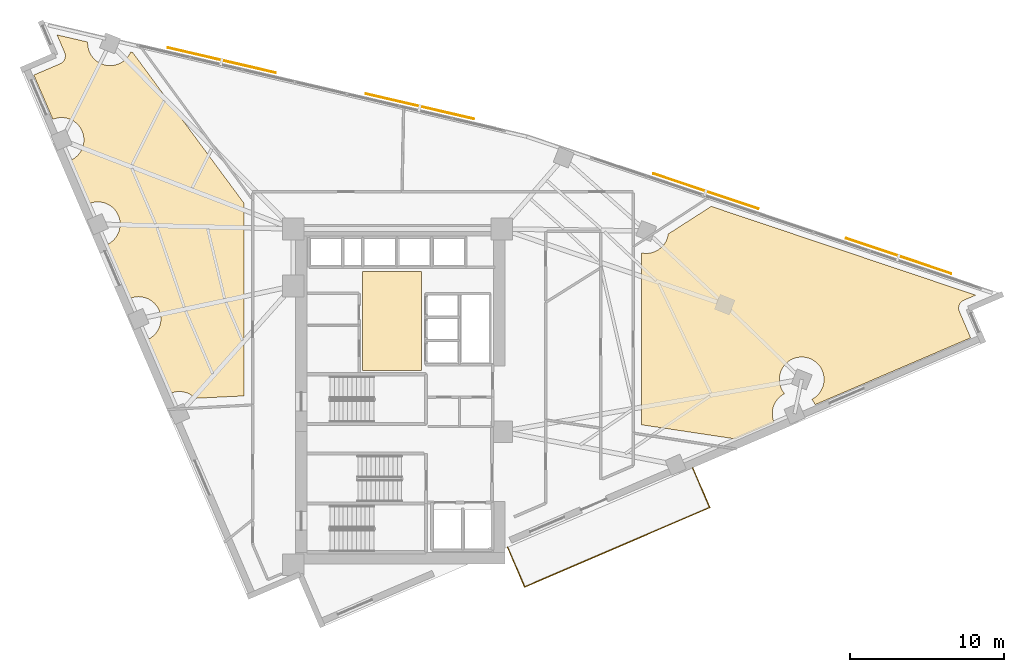
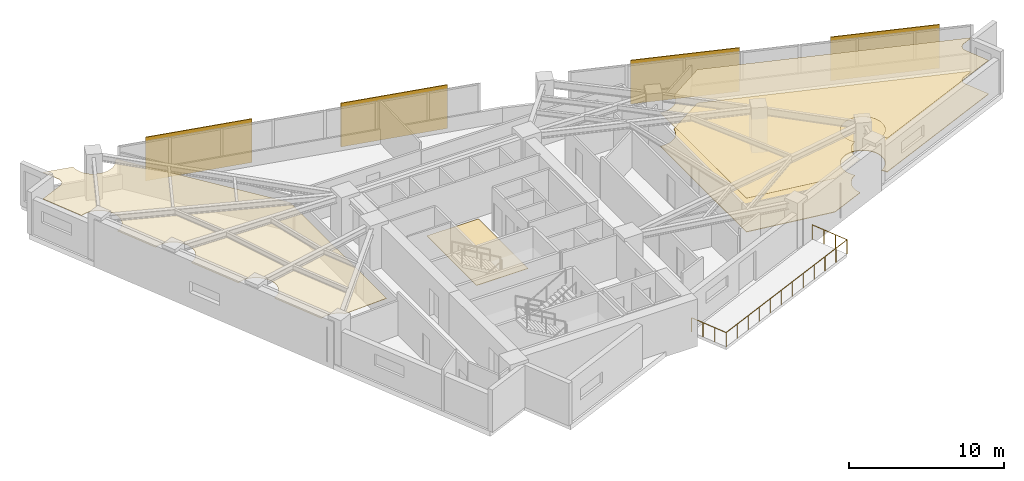
# One storey, part 13 of 13: 4 coverings, 4 shading devices, 1 railing.
"""IFC4 building model written with IfcOpenShell, lengths in metres."""

from ifc_helpers import new_model, si_unit, direction, frame, origin, origin_2d, place, context, subcontext, project, spatial, polyline, rectangle, circle, outline, extrude, material, layer, layer_set, type_object, element, save


model = new_model("IFC4")

# Units and contexts
model_context = context("Model", 3, precision=1e-05, world=origin(), true_north=direction((0.0, 1.0)))
body_context = subcontext(model_context, "Body", "Model", "MODEL_VIEW")
ifc_project = project(units=[si_unit("LENGTHUNIT", "METRE"), si_unit("AREAUNIT", "SQUARE_METRE"), si_unit("VOLUMEUNIT", "CUBIC_METRE"), si_unit("PLANEANGLEUNIT", "RADIAN"), si_unit("MASSUNIT", "GRAM", prefix="KILO")], contexts=[model_context])

# Site, building, storey
site_placement = place(None, origin())
site = spatial("IfcSite", under=ifc_project, at=site_placement, CompositionType="ELEMENT")
building_placement = place(site_placement, origin())
building = spatial("IfcBuilding", under=site, at=building_placement, Name="Narakoshi Arena Tower", CompositionType="ELEMENT")
storey_placement = place(building_placement, frame((0.0, 0.0, 164.699951171875)))
storey = spatial("IfcBuildingStorey", under=building, at=storey_placement, Name="L44", CompositionType="ELEMENT", Elevation=164.699951171875)

# Coverings
ifc_material_1 = material(Name="Acoustic mineral-fibre ceiling tile")
ifc_layer_1 = layer(ifc_material_1, 0.02001953125)
ifc_layer_set_1 = layer_set([ifc_layer_1], Name="Acoustic mineral-fibre ceiling tile")
covering_type_1 = type_object("IfcCoveringType", Name="COV-CLG-AC20", PredefinedType="CEILING", material=ifc_layer_set_1)
covering_1_placement = place(storey_placement, frame((0.0, 0.0, 2.670166015625)))
element("IfcCovering", 1, at=covering_1_placement, inside=storey, type_object=covering_type_1, Name="L44 Suspended Acoustic Ceiling 1", PredefinedType="CEILING", context=body_context, shape_type="SweptSolid", body=[
    extrude(outline(polyline([(115.52685546875, 51.870361328125), (115.478515625, 51.8466796875), (115.4326171875, 51.818359375), (115.3896484375, 51.78564453125), (115.35009765625, 51.748779296875), (115.314208984375, 51.70849609375), (115.28271484375, 51.664794921875), (115.255615234375, 51.617919921875), (115.233154296875, 51.56884765625), (115.215576171875, 51.517822265625), (115.203125, 51.46533203125), (115.196044921875, 51.411865234375), (115.194091796875, 51.35791015625), (115.197509765625, 51.303955078125), (115.2060546875, 51.250732421875), (115.2197265625, 51.198486328125), (115.23876953125, 51.14794921875), (115.97412109375, 49.435791015625), (105.87646484375, 45.09765625), (105.828125, 45.199951171875), (105.7548828125, 45.322021484375), (105.670166015625, 45.436279296875), (105.662109375, 45.4453125), (105.693359375, 45.4599609375), (105.8154296875, 45.533203125), (105.9296875, 45.617919921875), (106.03515625, 45.71337890625), (106.130859375, 45.81884765625), (106.215576171875, 45.93310546875), (106.288818359375, 46.055419921875), (106.349609375, 46.183837890625), (106.3974609375, 46.31787109375), (106.431884765625, 46.455810546875), (106.452880859375, 46.5966796875), (106.4599609375, 46.73876953125), (106.452880859375, 46.880859375), (106.431884765625, 47.021728515625), (106.3974609375, 47.15966796875), (106.349609375, 47.293701171875), (106.288818359375, 47.42236328125), (106.215576171875, 47.54443359375), (106.130859375, 47.65869140625), (106.03515625, 47.76416015625), (105.9296875, 47.859619140625), (105.8154296875, 47.9443359375), (105.693359375, 48.017578125), (105.564697265625, 48.078369140625), (105.430908203125, 48.12646484375), (105.292724609375, 48.160888671875), (105.152099609375, 48.181884765625), (105.010009765625, 48.188720703125), (104.867919921875, 48.181884765625), (104.72705078125, 48.160888671875), (104.589111328125, 48.12646484375), (104.455078125, 48.078369140625), (104.326416015625, 48.017578125), (104.204345703125, 47.9443359375), (104.090087890625, 47.859619140625), (103.984619140625, 47.76416015625), (103.888916015625, 47.65869140625), (103.80419921875, 47.54443359375), (103.731201171875, 47.42236328125), (103.67041015625, 47.293701171875), (103.622314453125, 47.15966796875), (103.587890625, 47.021728515625), (103.56689453125, 46.880859375), (103.559814453125, 46.73876953125), (103.56689453125, 46.5966796875), (103.587890625, 46.455810546875), (103.622314453125, 46.31787109375), (103.67041015625, 46.183837890625), (103.731201171875, 46.055419921875), (103.80419921875, 45.93310546875), (103.888916015625, 45.81884765625), (103.897216796875, 45.81005859375), (103.86572265625, 45.79541015625), (103.74365234375, 45.72216796875), (103.62939453125, 45.637451171875), (103.52392578125, 45.541748046875), (103.428466796875, 45.436279296875), (103.34375, 45.322021484375), (103.2705078125, 45.199951171875), (103.209716796875, 45.0712890625), (103.16162109375, 44.9375), (103.127197265625, 44.79931640625), (103.106201171875, 44.65869140625), (103.099365234375, 44.5166015625), (103.106201171875, 44.37451171875), (103.127197265625, 44.233642578125), (103.16162109375, 44.095703125), (103.209716796875, 43.961669921875), (103.21337890625, 43.95361328125), (100.70361328125, 42.875244140625), (94.623779296875, 43.789306640625), (94.623779296875, 54.946533203125), (94.6318359375, 54.944580078125), (94.772705078125, 54.923583984375), (94.914794921875, 54.916748046875), (95.056884765625, 54.923583984375), (95.197509765625, 54.944580078125), (95.335693359375, 54.97900390625), (95.469482421875, 55.027099609375), (95.59814453125, 55.087890625), (95.72021484375, 55.1611328125), (95.834716796875, 55.245849609375), (95.93994140625, 55.34130859375), (96.03564453125, 55.44677734375), (96.120361328125, 55.56103515625), (96.193603515625, 55.68310546875), (96.25439453125, 55.811767578125), (96.30224609375, 55.94580078125), (96.3369140625, 56.083740234375), (96.350830078125, 56.178466796875), (99.1396484375, 57.96533203125), (116.30224609375, 52.20361328125), (115.52685546875, 51.870361328125)])), origin(), (0.0, 0.0, 1.0), 0.019775390625),
])
ifc_material_2 = material(Name="Slatted oak acoustic timber baffle", Category="wood")
ifc_layer_2 = layer(ifc_material_2, 0.034912109375)
ifc_layer_set_2 = layer_set([ifc_layer_2], Name="Slatted oak acoustic timber baffle")
covering_type_2 = type_object("IfcCoveringType", Name="COV-CLG-WD35", PredefinedType="CEILING", material=ifc_layer_set_2)
covering_2_placement = place(storey_placement, frame((0.0, 0.0, 2.655029296875)))
element("IfcCovering", 2, at=covering_2_placement, inside=storey, type_object=covering_type_2, Name="L44 Suspended Acoustic Ceiling 2", PredefinedType="CEILING", context=body_context, shape_type="SweptSolid", body=[
    extrude(outline(polyline([(56.937255859375, 67.25), (56.983154296875, 67.2783203125), (57.02587890625, 67.31103515625), (57.065673828125, 67.347900390625), (57.101318359375, 67.38818359375), (57.1328125, 67.431884765625), (57.159912109375, 67.478759765625), (57.182373046875, 67.52783203125), (57.199951171875, 67.578857421875), (57.21240234375, 67.63134765625), (57.219482421875, 67.684814453125), (57.2216796875, 67.73876953125), (57.21826171875, 67.792724609375), (57.209716796875, 67.845947265625), (57.19580078125, 67.898193359375), (57.177001953125, 67.94873046875), (56.6845703125, 69.0947265625), (58.675537109375, 68.631103515625), (58.671630859375, 68.55126953125), (58.6787109375, 68.4091796875), (58.69970703125, 68.268310546875), (58.734130859375, 68.13037109375), (58.781982421875, 67.996337890625), (58.843017578125, 67.867919921875), (58.916015625, 67.74560546875), (59.000732421875, 67.63134765625), (59.096435546875, 67.52587890625), (59.201904296875, 67.430419921875), (59.316162109375, 67.345703125), (59.438232421875, 67.2724609375), (59.56689453125, 67.211669921875), (59.70068359375, 67.163818359375), (59.8388671875, 67.129150390625), (59.9794921875, 67.1083984375), (60.12158203125, 67.101318359375), (60.263916015625, 67.1083984375), (60.404541015625, 67.129150390625), (60.54248046875, 67.163818359375), (60.676513671875, 67.211669921875), (60.80517578125, 67.2724609375), (60.92724609375, 67.345703125), (61.04150390625, 67.430419921875), (61.14697265625, 67.52587890625), (61.24267578125, 67.63134765625), (61.327392578125, 67.74560546875), (61.400390625, 67.867919921875), (61.45556640625, 67.984130859375), (61.591552734375, 67.952392578125), (68.826171875, 58.157470703125), (68.826171875, 45.666259765625), (65.6533203125, 45.50830078125), (65.64013671875, 45.522705078125), (65.53466796875, 45.618408203125), (65.42041015625, 45.703125), (65.29833984375, 45.7763671875), (65.169677734375, 45.837158203125), (65.03564453125, 45.885009765625), (64.897705078125, 45.919677734375), (64.7568359375, 45.9404296875), (64.61474609375, 45.947509765625), (64.47265625, 45.9404296875), (64.331787109375, 45.919677734375), (64.19384765625, 45.885009765625), (64.059814453125, 45.837158203125), (64.0517578125, 45.833251953125), (62.551513671875, 49.3251953125), (62.654052734375, 49.373779296875), (62.776123046875, 49.447021484375), (62.890380859375, 49.531494140625), (62.995849609375, 49.627197265625), (63.09130859375, 49.732666015625), (63.176025390625, 49.846923828125), (63.249267578125, 49.968994140625), (63.31005859375, 50.09765625), (63.358154296875, 50.231689453125), (63.392578125, 50.36962890625), (63.41357421875, 50.510498046875), (63.42041015625, 50.652587890625), (63.41357421875, 50.794677734375), (63.392578125, 50.935302734375), (63.358154296875, 51.073486328125), (63.31005859375, 51.20751953125), (63.249267578125, 51.3359375), (63.176025390625, 51.4580078125), (63.09130859375, 51.572509765625), (62.995849609375, 51.677734375), (62.890380859375, 51.7734375), (62.776123046875, 51.858154296875), (62.654052734375, 51.931396484375), (62.525390625, 51.9921875), (62.391357421875, 52.0400390625), (62.25341796875, 52.07470703125), (62.112548828125, 52.095458984375), (61.970458984375, 52.1025390625), (61.828369140625, 52.095458984375), (61.6875, 52.07470703125), (61.549560546875, 52.0400390625), (61.41552734375, 51.9921875), (61.407470703125, 51.98828125), (59.9072265625, 55.480224609375), (60.009521484375, 55.528564453125), (60.131591796875, 55.601806640625), (60.24609375, 55.6865234375), (60.351318359375, 55.781982421875), (60.447021484375, 55.887451171875), (60.53173828125, 56.001708984375), (60.60498046875, 56.123779296875), (60.665771484375, 56.25244140625), (60.713623046875, 56.386474609375), (60.748291015625, 56.5244140625), (60.76904296875, 56.665283203125), (60.776123046875, 56.807373046875), (60.76904296875, 56.949462890625), (60.748291015625, 57.09033203125), (60.713623046875, 57.228271484375), (60.665771484375, 57.3623046875), (60.60498046875, 57.490966796875), (60.53173828125, 57.613037109375), (60.447021484375, 57.727294921875), (60.351318359375, 57.832763671875), (60.24609375, 57.92822265625), (60.131591796875, 58.012939453125), (60.009521484375, 58.086181640625), (59.881103515625, 58.14697265625), (59.7470703125, 58.195068359375), (59.60888671875, 58.2294921875), (59.46826171875, 58.25048828125), (59.326171875, 58.25732421875), (59.18408203125, 58.25048828125), (59.043212890625, 58.2294921875), (58.9052734375, 58.195068359375), (58.771240234375, 58.14697265625), (58.76318359375, 58.143310546875), (57.556640625, 60.951416015625), (57.6591796875, 60.999755859375), (57.78125, 61.072998046875), (57.8955078125, 61.15771484375), (58.0009765625, 61.253173828125), (58.096435546875, 61.358642578125), (58.18115234375, 61.472900390625), (58.25439453125, 61.594970703125), (58.315185546875, 61.7236328125), (58.36328125, 61.857666015625), (58.397705078125, 61.99560546875), (58.418701171875, 62.136474609375), (58.425537109375, 62.278564453125), (58.418701171875, 62.420654296875), (58.397705078125, 62.561279296875), (58.36328125, 62.699462890625), (58.315185546875, 62.83349609375), (58.25439453125, 62.9619140625), (58.18115234375, 63.083984375), (58.096435546875, 63.198486328125), (58.0009765625, 63.3037109375), (57.8955078125, 63.3994140625), (57.78125, 63.484130859375), (57.6591796875, 63.557373046875), (57.530517578125, 63.6181640625), (57.396484375, 63.666015625), (57.258544921875, 63.70068359375), (57.11767578125, 63.721435546875), (56.9755859375, 63.728515625), (56.83349609375, 63.721435546875), (56.692626953125, 63.70068359375), (56.5546875, 63.666015625), (56.420654296875, 63.6181640625), (56.41259765625, 63.6142578125), (55.1767578125, 66.49072265625), (56.888671875, 67.226318359375), (56.937255859375, 67.25)])), origin(), (0.0, 0.0, 1.0), 0.034912109375),
])
ifc_material_3 = material(Name="Raised steel access floor panel", Category="steel")
ifc_layer_3 = layer(ifc_material_3, 0.044921875)
ifc_layer_set_3 = layer_set([ifc_layer_3], Name="Raised steel access floor panel")
covering_type_3 = type_object("IfcCoveringType", Name="COV-FLR-RF45", PredefinedType="FLOORING", material=ifc_layer_set_3)
covering_3_placement = place(storey_placement, origin())
element("IfcCovering", 3, at=covering_3_placement, inside=storey, type_object=covering_type_3, Name="L44 Raised Steel Access Floor", PredefinedType="FLOORING", context=body_context, shape_type="SweptSolid", body=[
    extrude(outline(polyline([(115.52685546875, 51.870361328125), (115.478515625, 51.8466796875), (115.4326171875, 51.818359375), (115.3896484375, 51.78564453125), (115.35009765625, 51.748779296875), (115.314208984375, 51.70849609375), (115.28271484375, 51.664794921875), (115.255615234375, 51.617919921875), (115.233154296875, 51.56884765625), (115.215576171875, 51.517822265625), (115.203125, 51.46533203125), (115.196044921875, 51.411865234375), (115.194091796875, 51.35791015625), (115.197509765625, 51.303955078125), (115.2060546875, 51.250732421875), (115.2197265625, 51.198486328125), (115.23876953125, 51.14794921875), (115.97412109375, 49.435791015625), (105.87646484375, 45.09765625), (105.828125, 45.199951171875), (105.7548828125, 45.322021484375), (105.670166015625, 45.436279296875), (105.662109375, 45.4453125), (105.693359375, 45.4599609375), (105.8154296875, 45.533203125), (105.9296875, 45.617919921875), (106.03515625, 45.71337890625), (106.130859375, 45.81884765625), (106.215576171875, 45.93310546875), (106.288818359375, 46.055419921875), (106.349609375, 46.183837890625), (106.3974609375, 46.31787109375), (106.431884765625, 46.455810546875), (106.452880859375, 46.5966796875), (106.4599609375, 46.73876953125), (106.452880859375, 46.880859375), (106.431884765625, 47.021728515625), (106.3974609375, 47.15966796875), (106.349609375, 47.293701171875), (106.288818359375, 47.42236328125), (106.215576171875, 47.54443359375), (106.130859375, 47.65869140625), (106.03515625, 47.76416015625), (105.9296875, 47.859619140625), (105.8154296875, 47.9443359375), (105.693359375, 48.017578125), (105.564697265625, 48.078369140625), (105.430908203125, 48.12646484375), (105.292724609375, 48.160888671875), (105.152099609375, 48.181884765625), (105.010009765625, 48.188720703125), (104.867919921875, 48.181884765625), (104.72705078125, 48.160888671875), (104.589111328125, 48.12646484375), (104.455078125, 48.078369140625), (104.326416015625, 48.017578125), (104.204345703125, 47.9443359375), (104.090087890625, 47.859619140625), (103.984619140625, 47.76416015625), (103.888916015625, 47.65869140625), (103.80419921875, 47.54443359375), (103.731201171875, 47.42236328125), (103.67041015625, 47.293701171875), (103.622314453125, 47.15966796875), (103.587890625, 47.021728515625), (103.56689453125, 46.880859375), (103.559814453125, 46.73876953125), (103.56689453125, 46.5966796875), (103.587890625, 46.455810546875), (103.622314453125, 46.31787109375), (103.67041015625, 46.183837890625), (103.731201171875, 46.055419921875), (103.80419921875, 45.93310546875), (103.888916015625, 45.81884765625), (103.897216796875, 45.81005859375), (103.86572265625, 45.79541015625), (103.74365234375, 45.72216796875), (103.62939453125, 45.637451171875), (103.52392578125, 45.541748046875), (103.428466796875, 45.436279296875), (103.34375, 45.322021484375), (103.2705078125, 45.199951171875), (103.209716796875, 45.0712890625), (103.16162109375, 44.9375), (103.127197265625, 44.79931640625), (103.106201171875, 44.65869140625), (103.099365234375, 44.5166015625), (103.106201171875, 44.37451171875), (103.127197265625, 44.233642578125), (103.16162109375, 44.095703125), (103.209716796875, 43.961669921875), (103.21337890625, 43.95361328125), (100.70361328125, 42.875244140625), (94.623779296875, 43.789306640625), (94.623779296875, 54.946533203125), (94.6318359375, 54.944580078125), (94.772705078125, 54.923583984375), (94.914794921875, 54.916748046875), (95.056884765625, 54.923583984375), (95.197509765625, 54.944580078125), (95.335693359375, 54.97900390625), (95.469482421875, 55.027099609375), (95.59814453125, 55.087890625), (95.72021484375, 55.1611328125), (95.834716796875, 55.245849609375), (95.93994140625, 55.34130859375), (96.03564453125, 55.44677734375), (96.120361328125, 55.56103515625), (96.193603515625, 55.68310546875), (96.25439453125, 55.811767578125), (96.30224609375, 55.94580078125), (96.3369140625, 56.083740234375), (96.350830078125, 56.178466796875), (99.1396484375, 57.96533203125), (116.30224609375, 52.20361328125), (115.52685546875, 51.870361328125)])), origin(), (0.0, 0.0, 1.0), 0.045166015625),
])
ifc_material_4 = material(Name="Honed granite stone paving", Category="masonry")
ifc_layer_4 = layer(ifc_material_4, 0.030029296875)
ifc_layer_set_4 = layer_set([ifc_layer_4], Name="Honed granite stone paving")
covering_type_4 = type_object("IfcCoveringType", Name="COV-FLR-ST30", PredefinedType="FLOORING", material=ifc_layer_set_4)
covering_4_placement = place(storey_placement, origin())
element("IfcCovering", 4, at=covering_4_placement, inside=storey, type_object=covering_type_4, Name="L44 Lift Lobby Granite Flooring", PredefinedType="FLOORING", context=body_context, shape_type="SweptSolid", body=[
    extrude(outline(polyline([(76.5, 47.300048828125), (80.35009765625, 47.300048828125), (80.35009765625, 53.75), (76.5, 53.75), (76.5, 47.300048828125)])), origin(), (0.0, 0.0, 1.0), 0.030029296875),
])

# Railing
ifc_material_5 = material(Name="Brushed bronze stainless steel", Category="steel")
railing_type = type_object("IfcRailingType", Name="RL-GRD-1150", PredefinedType="GUARDRAIL", material=ifc_material_5)
railing_placement = place(storey_placement, frame((85.9248046875, 35.840087890625, 0.0)))
element("IfcRailing", 5, at=railing_placement, inside=storey, type_object=railing_type, Name="L44 Setback Sky Terrace Guardrail", PredefinedType="GUARDRAIL", context=body_context, shape_type="SweptSolid", body=[
    extrude(circle(Radius=0.02392578125, at=origin_2d()), frame((0.0, 0.0, 1.1259765625), z_axis=(0.394708371678, -0.91880645477, 0.0), x_axis=(0.91880645477, 0.394708371678, 0.0)), (0.0, 0.0, 1.0), 2.800048828125),
    extrude(circle(Radius=0.02392578125, at=origin_2d()), frame((1.105224609375, -2.57275390625, 1.1259765625), z_axis=(0.918791982737, 0.394742058133, 0.0), x_axis=(-0.394742058133, 0.918791982737, 0.0)), (0.0, 0.0, 1.0), 13.069091796875),
    extrude(circle(Radius=0.02392578125, at=origin_2d()), frame((13.113037109375, 2.586181640625, 1.1259765625), z_axis=(-0.394739994295, 0.918792869424, 0.0), x_axis=(-0.918792869424, -0.394739994295, 0.0)), (0.0, 0.0, 1.0), 2.7998046875),
    extrude(circle(Radius=0.02099609375, at=origin_2d()), origin(), (0.0, 0.0, 1.0), 1.101806640625),
    extrude(circle(Radius=0.02099609375, at=origin_2d()), frame((0.368408203125, -0.857666015625, 0.0)), (0.0, 0.0, 1.0), 1.101806640625),
    extrude(circle(Radius=0.02099609375, at=origin_2d()), frame((0.73681640625, -1.715087890625, 0.0)), (0.0, 0.0, 1.0), 1.101806640625),
    extrude(circle(Radius=0.02099609375, at=origin_2d()), frame((1.105224609375, -2.57275390625, 0.0)), (0.0, 0.0, 1.0), 1.101806640625),
    extrude(circle(Radius=0.02099609375, at=origin_2d()), frame((2.19677734375, -2.103759765625, 0.0)), (0.0, 0.0, 1.0), 1.101806640625),
    extrude(circle(Radius=0.02099609375, at=origin_2d()), frame((3.28857421875, -1.634765625, 0.0)), (0.0, 0.0, 1.0), 1.101806640625),
    extrude(circle(Radius=0.02099609375, at=origin_2d()), frame((4.380126953125, -1.165771484375, 0.0)), (0.0, 0.0, 1.0), 1.101806640625),
    extrude(circle(Radius=0.02099609375, at=origin_2d()), frame((5.4716796875, -0.69677734375, 0.0)), (0.0, 0.0, 1.0), 1.101806640625),
    extrude(circle(Radius=0.02099609375, at=origin_2d()), frame((6.563232421875, -0.227783203125, 0.0)), (0.0, 0.0, 1.0), 1.101806640625),
    extrude(circle(Radius=0.02099609375, at=origin_2d()), frame((7.655029296875, 0.2412109375, 0.0)), (0.0, 0.0, 1.0), 1.101806640625),
    extrude(circle(Radius=0.02099609375, at=origin_2d()), frame((8.74658203125, 0.710205078125, 0.0)), (0.0, 0.0, 1.0), 1.101806640625),
    extrude(circle(Radius=0.02099609375, at=origin_2d()), frame((9.838134765625, 1.17919921875, 0.0)), (0.0, 0.0, 1.0), 1.101806640625),
    extrude(circle(Radius=0.02099609375, at=origin_2d()), frame((10.9296875, 1.648193359375, 0.0)), (0.0, 0.0, 1.0), 1.101806640625),
    extrude(circle(Radius=0.02099609375, at=origin_2d()), frame((12.021484375, 2.1171875, 0.0)), (0.0, 0.0, 1.0), 1.101806640625),
    extrude(circle(Radius=0.02099609375, at=origin_2d()), frame((13.113037109375, 2.586181640625, 0.0)), (0.0, 0.0, 1.0), 1.101806640625),
    extrude(circle(Radius=0.02099609375, at=origin_2d()), frame((12.74462890625, 3.443603515625, 0.0)), (0.0, 0.0, 1.0), 1.101806640625),
    extrude(circle(Radius=0.02099609375, at=origin_2d()), frame((12.376220703125, 4.30126953125, 0.0)), (0.0, 0.0, 1.0), 1.101806640625),
    extrude(circle(Radius=0.02099609375, at=origin_2d()), frame((12.0078125, 5.15869140625, 0.0)), (0.0, 0.0, 1.0), 1.101806640625),
])

# Shading devices
ifc_material_6 = material(Name="Perforated bronze ceramic-metal composite")
ifc_layer_5 = layer(ifc_material_6, 0.06005859375)
ifc_layer_set_5 = layer_set([ifc_layer_5], Name="Perforated bronze ceramic-metal composite")
shading_device_type = type_object("IfcShadingDeviceType", Name="SHD-SCR-BRZ2", PredefinedType="USERDEFINED", material=ifc_layer_set_5)
for number, where, z_axis, x_axis, name in (
    (6, (111.30126953125, 54.747314453125, 0.0), (0.0, 0.0, 1.0), (-0.948001964735, 0.318264473134, 0.0), "L44 Perforated Bronze Solar Screen 1-1"),
    (7, (98.78759765625, 58.948486328125, 0.0), (0.0, 0.0, 1.0), (-0.948001964735, 0.318264473134, 0.0), "L44 Perforated Bronze Solar Screen 1-2"),
    (8, (80.23193359375, 64.455078125, 0.0), (0.0, 0.0, 1.0), (-0.973960141659, 0.226719303234, 0.0), "L44 Perforated Bronze Solar Screen 2-1"),
    (9, (67.37548828125, 67.447998046875, 0.0), (0.0, 0.0, 1.0), (-0.973960141659, 0.226719303234, 0.0), "L44 Perforated Bronze Solar Screen 2-2"),
):
    element("IfcShadingDevice", number, at=place(storey_placement, frame(where, z_axis=z_axis, x_axis=x_axis)), inside=storey, type_object=shading_device_type, Name=name, ObjectType="SOLAR SCREEN", PredefinedType="USERDEFINED", context=body_context, shape_type="SweptSolid", body=[
        extrude(rectangle(XDim=7.199951171875, YDim=0.06005859375, at=origin_2d()), origin(), (0.0, 0.0, 1.0), 3.449951171875),
    ])

save(model, "model.ifc")
